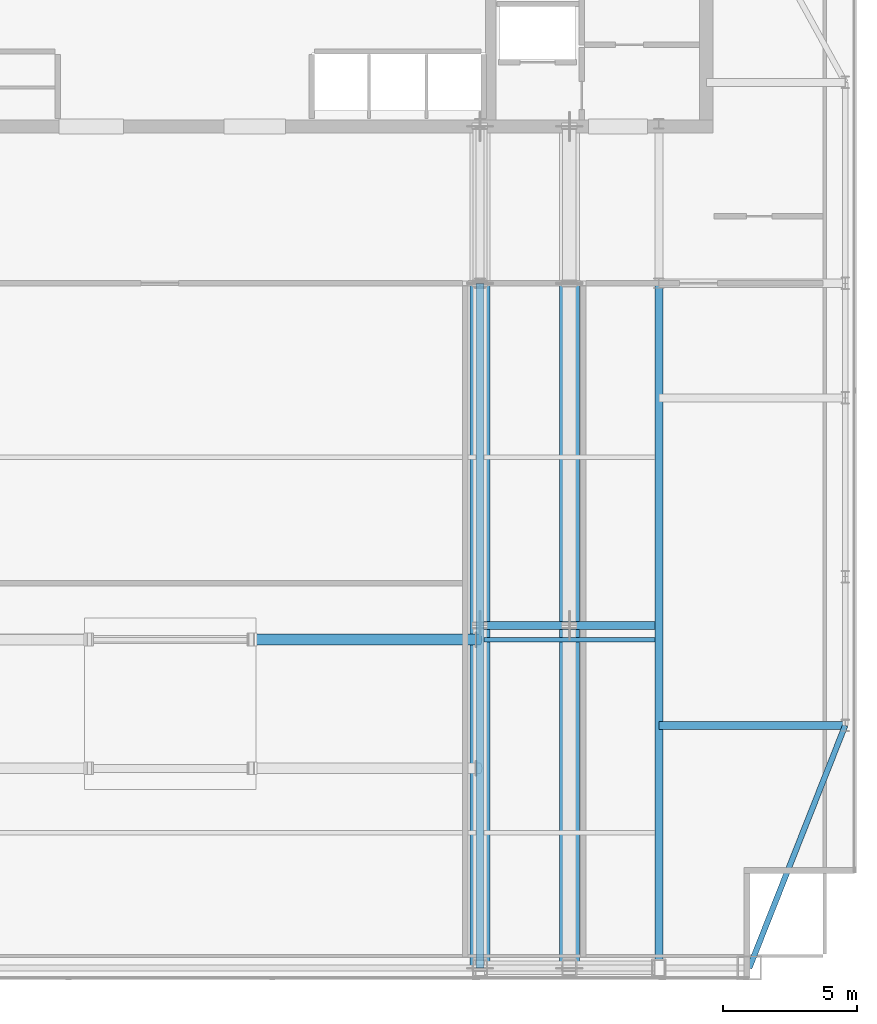
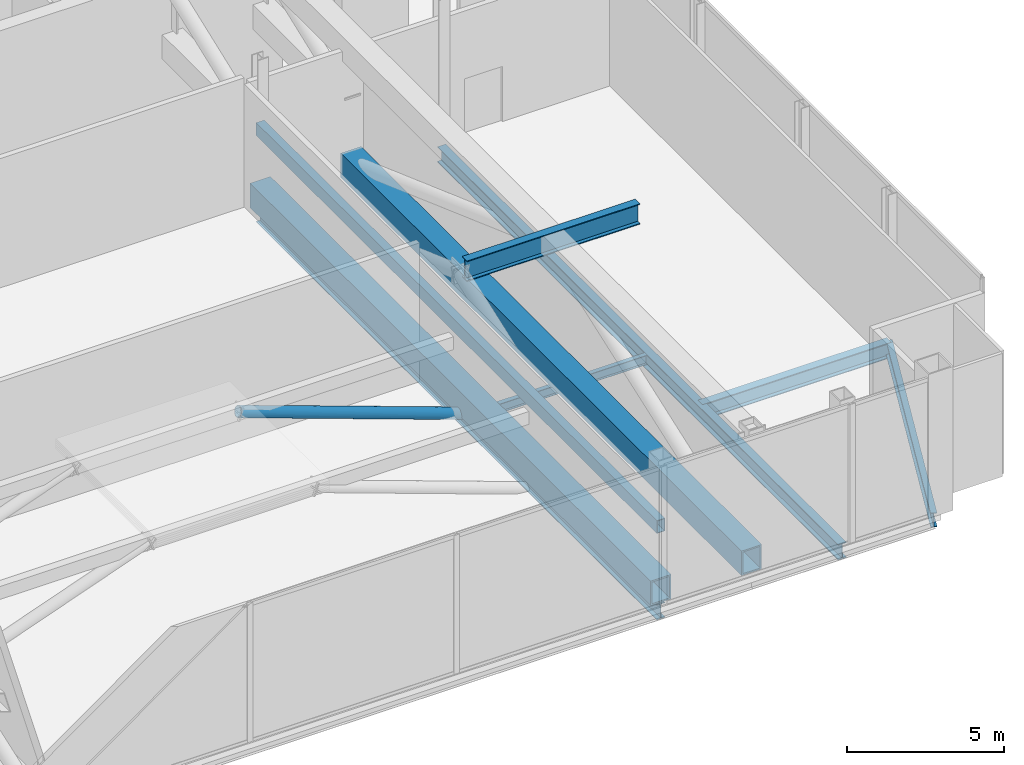
# One storey, part 14 of 26: 7 beams, 3 members.
"""IFC4 building model written with IfcOpenShell, lengths in metres."""

from ifc_helpers import new_model, si_unit, direction, frame, origin, origin_2d, place, context, subcontext, project, spatial, hollow_rectangle, hollow_circle, i_section, extrude, material, material_profile, profile_set, type_object, element, save


model = new_model("IFC4")

# Units and contexts
model_context = context("Model", 3, precision=1e-05, world=origin(), true_north=direction((0.0, 1.0)))
body_context = subcontext(model_context, "Body", "Model", "MODEL_VIEW")
ifc_project = project(units=[si_unit("LENGTHUNIT", "METRE"), si_unit("AREAUNIT", "SQUARE_METRE"), si_unit("VOLUMEUNIT", "CUBIC_METRE"), si_unit("PLANEANGLEUNIT", "RADIAN"), si_unit("MASSUNIT", "GRAM", prefix="KILO")], contexts=[model_context])

# Site, building, storey
site_placement = place(None, origin())
site = spatial("IfcSite", under=ifc_project, at=site_placement, CompositionType="ELEMENT")
building_placement = place(site_placement, origin())
building = spatial("IfcBuilding", under=site, at=building_placement, Name="Khoronbel Lancet Exchange", CompositionType="ELEMENT")
storey_placement = place(building_placement, frame((0.0, 0.0, 350.60009765625)))
storey = spatial("IfcBuildingStorey", under=building, at=storey_placement, Name="L91", CompositionType="ELEMENT", Elevation=350.60009765625)

# Beams
ifc_material_1 = material(Name="Steel S355", Category="steel")
ifc_material_profile_1 = material_profile(ifc_material_1, i_section(OverallWidth=0.300048828125, OverallDepth=0.800048828125, WebThickness=0.017578125, FlangeThickness=0.032958984375, at=origin_2d()), Name="HEB 800")
ifc_profile_set_1 = profile_set([ifc_material_profile_1], Name="Steel S355")
beam_type_1 = type_object("IfcBeamType", Name="BM-BG2", PredefinedType="BEAM", material=ifc_profile_set_1)
beam_1_placement = place(storey_placement, frame((48.14990234375, 22.925048828125, 5.0), z_axis=(1.0, 0.0, 0.0), x_axis=(0.0, 1.0, 0.0)))
element("IfcBeam", 1, at=beam_1_placement, inside=storey, type_object=beam_type_1, Name="Outrigger apex collector beam L91-E", PredefinedType="BEAM", context=body_context, shape_type="SweptSolid", body=[
    extrude(i_section(OverallWidth=0.300048828125, OverallDepth=0.800048828125, WebThickness=0.017578125, FlangeThickness=0.032958984375, at=origin_2d()), origin(), (0.0, 0.0, 1.0), 6.375),
])
ifc_material_profile_2 = material_profile(ifc_material_1, i_section(OverallWidth=0.300048828125, OverallDepth=0.60009765625, WebThickness=0.015380859375, FlangeThickness=0.030029296875, at=origin_2d()), Name="HEB 600")
ifc_profile_set_2 = profile_set([ifc_material_profile_2], Name="Steel S355")
beam_type_2 = type_object("IfcBeamType", Name="BM-BG5", PredefinedType="BEAM", material=ifc_profile_set_2)
for number, where, z_axis, x_axis, name in (
    (2, (48.0, 10.14990234375, -0.52001953125), (0.0, 1.0, 0.0), (-1.0, 0.0, 0.0), "Level L91 south primary girder GS5"),
    (3, (54.675048828125, 10.14990234375, -0.52001953125), (0.0, 1.0, 0.0), (-1.0, 0.0, 0.0), "Level L91 south primary girder GS6"),
):
    element("IfcBeam", number, at=place(storey_placement, frame(where, z_axis=z_axis, x_axis=x_axis)), inside=storey, type_object=beam_type_2, Name=name, PredefinedType="BEAM", context=body_context, shape_type="SweptSolid", body=[
        extrude(i_section(OverallWidth=0.300048828125, OverallDepth=0.60009765625, WebThickness=0.015380859375, FlangeThickness=0.030029296875, at=origin_2d()), origin(), (0.0, 0.0, 1.0), 25.550048828125),
    ])
beam_2_placement = place(storey_placement, frame((54.675048828125, 19.199951171875, -0.52001953125), z_axis=(1.0, 0.0, 0.0), x_axis=(0.0, 1.0, 0.0)))
element("IfcBeam", 4, at=beam_2_placement, inside=storey, type_object=beam_type_2, Name="Level L91 east lens tie girder LG1E", PredefinedType="BEAM", context=body_context, shape_type="SweptSolid", body=[
    extrude(i_section(OverallWidth=0.300048828125, OverallDepth=0.60009765625, WebThickness=0.015380859375, FlangeThickness=0.030029296875, at=origin_2d()), origin(), (0.0, 0.0, 1.0), 6.954833984375),
])
ifc_material_profile_3 = material_profile(ifc_material_1, i_section(OverallWidth=0.169921875, OverallDepth=0.360107421875, WebThickness=0.008056640625, FlangeThickness=0.0126953125, at=origin_2d()), Name="IPE 360")
ifc_profile_set_3 = profile_set([ifc_material_profile_3], Name="Steel S355")
beam_type_3 = type_object("IfcBeamType", Name="BM-BJ6", PredefinedType="JOIST", material=ifc_profile_set_3)
beam_3_placement = place(storey_placement, frame((48.14990234375, 22.39990234375, -0.400146484375), z_axis=(1.0, 0.0, 0.0), x_axis=(0.0, 1.0, 0.0)))
element("IfcBeam", 5, at=beam_3_placement, inside=storey, type_object=beam_type_3, Name="Level L91 secondary composite joist J06", PredefinedType="JOIST", context=body_context, shape_type="SweptSolid", body=[
    extrude(i_section(OverallWidth=0.169921875, OverallDepth=0.360107421875, WebThickness=0.008056640625, FlangeThickness=0.0126953125, at=origin_2d()), origin(), (0.0, 0.0, 1.0), 6.375),
])
ifc_material_profile_4 = material_profile(ifc_material_1, i_section(OverallWidth=0.2099609375, OverallDepth=0.550048828125, WebThickness=0.010986328125, FlangeThickness=0.01708984375, at=origin_2d()), Name="IPE 550")
ifc_profile_set_4 = profile_set([ifc_material_profile_4], Name="Steel S355")
beam_type_4 = type_object("IfcBeamType", Name="BM-BSP3", PredefinedType="SPANDREL", material=ifc_profile_set_4)
beam_4_placement = place(storey_placement, frame((58.050048828125, 10.14990234375, -0.4951171875), z_axis=(0.367828403855, 0.929893684954, 0.0), x_axis=(-0.929893684954, 0.367828403855, 0.0)))
element("IfcBeam", 6, at=beam_4_placement, inside=storey, type_object=beam_type_4, Name="Level L91 perimeter spandrel beam SP08", PredefinedType="SPANDREL", context=body_context, shape_type="SweptSolid", body=[
    extrude(i_section(OverallWidth=0.2099609375, OverallDepth=0.550048828125, WebThickness=0.010986328125, FlangeThickness=0.01708984375, at=origin_2d()), origin(), (0.0, 0.0, 1.0), 9.732421875),
])
ifc_material_profile_5 = material_profile(ifc_material_1, hollow_rectangle(XDim=0.300048828125, YDim=0.5, WallThickness=0.02001953125, at=origin_2d()), Name="RHS 500x300x20")
ifc_profile_set_5 = profile_set([ifc_material_profile_5], Name="Steel S355")
beam_type_5 = type_object("IfcBeamType", Name="BM-RB2", PredefinedType="USERDEFINED", material=ifc_profile_set_5)
beam_5_placement = place(storey_placement, frame((48.0, 10.14990234375, 2.7998046875), z_axis=(0.0, 1.0, 0.0), x_axis=(-1.0, 0.0, 0.0)))
element("IfcBeam", 7, at=beam_5_placement, inside=storey, type_object=beam_type_5, Name="Tuned mass damper side frame girder E", ObjectType="RING BEAM", PredefinedType="USERDEFINED", context=body_context, shape_type="SweptSolid", body=[
    extrude(hollow_rectangle(XDim=0.300048828125, YDim=0.5, WallThickness=0.02001953125, at=origin_2d()), origin(), (0.0, 0.0, 1.0), 25.550048828125),
])

# Members
ifc_material_2 = material(Name="Steel S460", Category="steel")
ifc_material_profile_6 = material_profile(ifc_material_2, hollow_rectangle(XDim=0.75, YDim=0.949951171875, WallThickness=0.054931640625, at=origin_2d()), Name="BOX 950x750x55")
ifc_profile_set_6 = profile_set([ifc_material_profile_6], Name="Steel S460")
member_type_1 = type_object("IfcMemberType", Name="MEM-OCH2", PredefinedType="CHORD", material=ifc_profile_set_6)
for number, where, z_axis, x_axis, name in (
    (8, (48.0, 10.14990234375, 0.2998046875), (0.0, 1.0, 0.0), (-1.0, 0.0, 0.0), "Outrigger truss bottom chord L91-3-BOT"),
    (9, (51.33740234375, 10.14990234375, 0.2998046875), (0.0, 1.0, 0.0), (-1.0, 0.0, 0.0), "Outrigger truss bottom chord L91-4-BOT"),
):
    element("IfcMember", number, at=place(storey_placement, frame(where, z_axis=z_axis, x_axis=x_axis)), inside=storey, type_object=member_type_1, Name=name, PredefinedType="CHORD", context=body_context, shape_type="SweptSolid", body=[
        extrude(hollow_rectangle(XDim=0.75, YDim=0.949951171875, WallThickness=0.054931640625, at=origin_2d()), origin(), (0.0, 0.0, 1.0), 25.550048828125),
    ])
ifc_material_profile_7 = material_profile(ifc_material_1, hollow_circle(Radius=0.203125, WallThickness=0.02001953125, at=origin_2d()), Name="CHS 406.4x20")
ifc_profile_set_7 = profile_set([ifc_material_profile_7], Name="Steel S355")
member_type_2 = type_object("IfcMemberType", Name="MEM-STR2", PredefinedType="STRUT", material=ifc_profile_set_7)
member_placement = place(storey_placement, frame((48.0, 22.39990234375, -0.25), z_axis=(-0.941246682477, 0.0, 0.337719828743), x_axis=(0.0, -1.0, 0.0)))
element("IfcMember", 10, at=member_placement, inside=storey, type_object=member_type_2, Name="Tuned mass damper viscous restraint strut 3", PredefinedType="STRUT", context=body_context, shape_type="SweptSolid", body=[
    extrude(hollow_circle(Radius=0.203125, WallThickness=0.02001953125, at=origin_2d()), origin(), (0.0, 0.0, 1.0), 9.030517578125),
])

save(model, "model.ifc")
